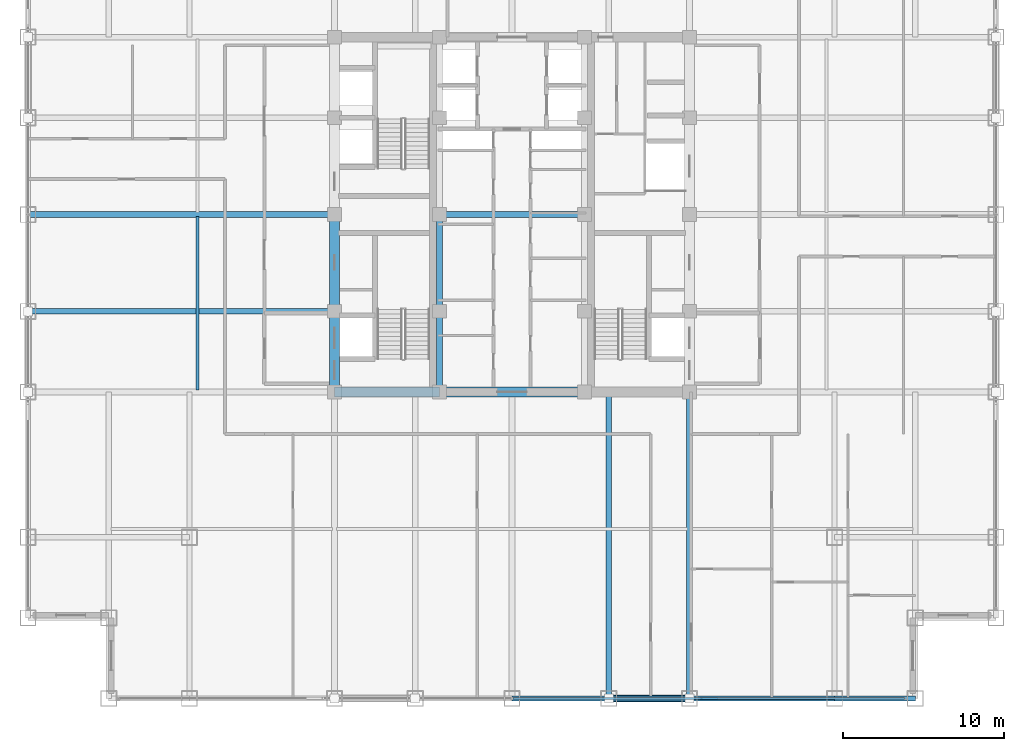
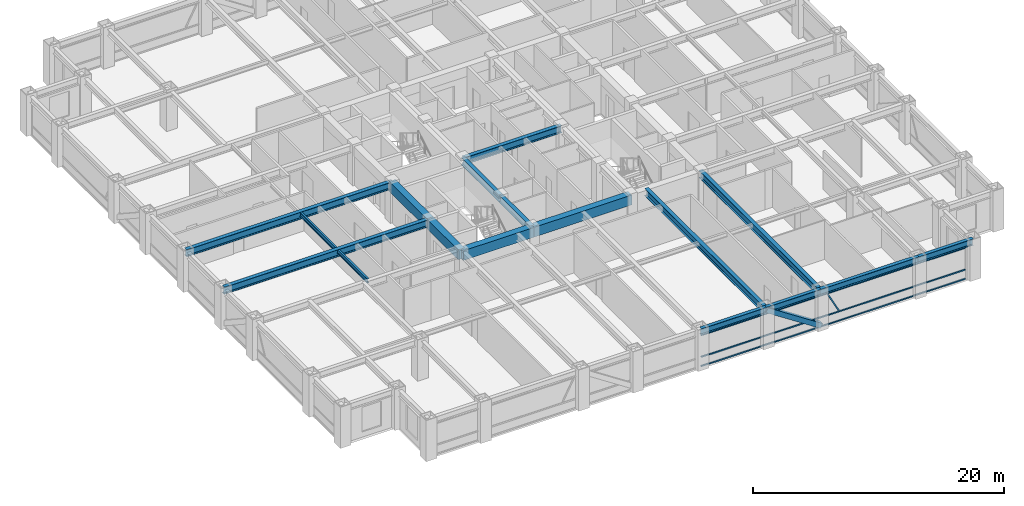
# One storey, part 7 of 25: 16 beams, 5 members, 1 element without a shape of its own.
"""IFC4 building model written with IfcOpenShell, lengths in metres."""

from ifc_helpers import new_model, si_unit, direction, frame, origin, origin_2d, place, context, subcontext, project, spatial, rectangle, hollow_rectangle, i_section, extrude, source, transform, mapped, material, material_profile, profile_set, type_object, element, aggregate, save


model = new_model("IFC4")

# Units and contexts
model_context = context("Model", 3, precision=1e-05, world=origin(), true_north=direction((0.0, 1.0)))
body_context = subcontext(model_context, "Body", "Model", "MODEL_VIEW")
ifc_project = project(units=[si_unit("LENGTHUNIT", "METRE"), si_unit("AREAUNIT", "SQUARE_METRE"), si_unit("VOLUMEUNIT", "CUBIC_METRE"), si_unit("PLANEANGLEUNIT", "RADIAN"), si_unit("MASSUNIT", "GRAM", prefix="KILO")], contexts=[model_context])

# Site, building, storey
site_placement = place(None, origin())
site = spatial("IfcSite", under=ifc_project, at=site_placement, CompositionType="ELEMENT")
building_placement = place(site_placement, origin())
building = spatial("IfcBuilding", under=site, at=building_placement, Name="Khorayat Bourse Tower", CompositionType="ELEMENT")
storey_placement = place(building_placement, frame((0.0, 0.0, 251.10009765625)))
storey = spatial("IfcBuildingStorey", under=building, at=storey_placement, Name="L59", CompositionType="ELEMENT", Elevation=251.10009765625)

# Beams
ifc_material_1 = material(Name="Steel ASTM A992 Grade 50", Category="steel")
ifc_material_profile_1 = material_profile(ifc_material_1, i_section(OverallWidth=0.35498046875, OverallDepth=0.695068359375, WebThickness=0.015380859375, FlangeThickness=0.02490234375, FilletRadius=0.01806640625, at=origin_2d()), Name="W690X217")
ifc_profile_set_1 = profile_set([ifc_material_profile_1], Name="Steel ASTM A992 Grade 50")
beam_type_1 = type_object("IfcBeamType", Name="BM-GIRD-690", PredefinedType="BEAM", material=ifc_profile_set_1)
shared_shape_1 = source(origin(), body_context, "Body", "SweptSolid", [
    extrude(i_section(OverallWidth=0.35498046875, OverallDepth=0.695068359375, WebThickness=0.015380859375, FlangeThickness=0.02490234375, FilletRadius=0.01806640625, at=origin_2d()), origin(), (0.0, 0.0, 1.0), 5.0),
])
beam_1_placement = place(storey_placement, frame((-4.5, -11.0, 3.432373046875), z_axis=(0.0, 1.0, 0.0), x_axis=(-1.0, 0.0, 0.0)))
element("IfcBeam", 1, at=beam_1_placement, inside=storey, type_object=beam_type_1, Name="L59 BM-GIRD-690 BM-L59-CRX-05", PredefinedType="BEAM", context=body_context, shape_type="MappedRepresentation", body=[
    mapped(shared_shape_1, transform((0.0, 0.0, 0.0), scale=1.0)),
])
shared_shape_2 = source(origin(), body_context, "Body", "SweptSolid", [
    extrude(i_section(OverallWidth=0.35498046875, OverallDepth=0.695068359375, WebThickness=0.015380859375, FlangeThickness=0.02490234375, FilletRadius=0.01806640625, at=origin_2d()), origin(), (0.0, 0.0, 1.0), 6.0),
])
beam_2_placement = place(storey_placement, frame((-4.5, -6.0, 3.432373046875), z_axis=(0.0, 1.0, 0.0), x_axis=(-1.0, 0.0, 0.0)))
element("IfcBeam", 2, at=beam_2_placement, inside=storey, type_object=beam_type_1, Name="L59 BM-GIRD-690 BM-L59-CRX-06", PredefinedType="BEAM", context=body_context, shape_type="MappedRepresentation", body=[
    mapped(shared_shape_2, transform((0.0, 0.0, 0.0), scale=1.0)),
])
shared_shape_3 = source(origin(), body_context, "Body", "SweptSolid", [
    extrude(i_section(OverallWidth=0.35498046875, OverallDepth=0.695068359375, WebThickness=0.015380859375, FlangeThickness=0.02490234375, FilletRadius=0.01806640625, at=origin_2d()), origin(), (0.0, 0.0, 1.0), 9.0),
])
beam_3_placement = place(storey_placement, frame((-4.5, 0.0, 3.432373046875), z_axis=(1.0, 0.0, 0.0), x_axis=(0.0, 1.0, 0.0)))
element("IfcBeam", 3, at=beam_3_placement, inside=storey, type_object=beam_type_1, Name="L59 BM-GIRD-690 BM-L59-CRY-23", PredefinedType="BEAM", context=body_context, shape_type="MappedRepresentation", body=[
    mapped(shared_shape_3, transform((0.0, 0.0, 0.0), scale=1.0)),
])
ifc_material_profile_2 = material_profile(ifc_material_1, i_section(OverallWidth=0.180908203125, OverallDepth=0.4169921875, WebThickness=0.010986328125, FlangeThickness=0.018310546875, FilletRadius=0.011962890625, at=origin_2d()), Name="W410X85")
ifc_profile_set_2 = profile_set([ifc_material_profile_2], Name="Steel ASTM A992 Grade 50")
beam_type_2 = type_object("IfcBeamType", Name="BM-JOIST-410", PredefinedType="JOIST", material=ifc_profile_set_2)
shared_shape_4 = source(origin(), body_context, "Body", "SweptSolid", [
    extrude(i_section(OverallWidth=0.180908203125, OverallDepth=0.4169921875, WebThickness=0.010986328125, FlangeThickness=0.018310546875, FilletRadius=0.011962890625, at=origin_2d()), origin(), (0.0, 0.0, 1.0), 10.740234375),
])
beam_4_placement = place(storey_placement, frame((-19.5, -10.8701171875, 3.5712890625), z_axis=(0.0, 1.0, 0.0), x_axis=(-1.0, 0.0, 0.0)))
element("IfcBeam", 4, at=beam_4_placement, inside=storey, type_object=beam_type_2, Name="L59 BM-JOIST-410 BM-L59-JSTY-102", PredefinedType="JOIST", context=body_context, shape_type="MappedRepresentation", body=[
    mapped(shared_shape_4, transform((0.0, 0.0, 0.0), scale=1.0)),
])
ifc_material_profile_3 = material_profile(ifc_material_1, i_section(OverallWidth=0.324951171875, OverallDepth=0.615966796875, WebThickness=0.013916015625, FlangeThickness=0.021484375, FilletRadius=0.01611328125, at=origin_2d()), Name="W610X174")
ifc_profile_set_3 = profile_set([ifc_material_profile_3], Name="Steel ASTM A992 Grade 50")
beam_type_3 = type_object("IfcBeamType", Name="BM-SPAN-610", PredefinedType="SPANDREL", material=ifc_profile_set_3)
shared_shape_5 = source(origin(), body_context, "Body", "SweptSolid", [
    extrude(i_section(OverallWidth=0.324951171875, OverallDepth=0.615966796875, WebThickness=0.013916015625, FlangeThickness=0.021484375, FilletRadius=0.01611328125, at=origin_2d()), origin(), (0.0, 0.0, 1.0), 9.0),
])
beam_5_placement = place(storey_placement, frame((11.0, -30.0, 3.471923828125), z_axis=(1.0, 0.0, 0.0), x_axis=(0.0, 1.0, 0.0)))
element("IfcBeam", 5, at=beam_5_placement, inside=storey, type_object=beam_type_3, Name="L59 BM-SPAN-610 BM-L59-SPN-030", PredefinedType="SPANDREL", context=body_context, shape_type="MappedRepresentation", body=[
    mapped(shared_shape_5, transform((0.0, 0.0, 0.0), scale=1.0)),
])
shared_shape_6 = source(origin(), body_context, "Body", "SweptSolid", [
    extrude(i_section(OverallWidth=0.324951171875, OverallDepth=0.615966796875, WebThickness=0.013916015625, FlangeThickness=0.021484375, FilletRadius=0.01611328125, at=origin_2d()), origin(), (0.0, 0.0, 1.0), 5.0),
])
for number, where, z_axis, x_axis, name in (
    (6, (6.0, -30.0, 3.471923828125), (1.0, 0.0, 0.0), (0.0, 1.0, 0.0), "L59 BM-SPAN-610 BM-L59-SPN-029"),
    (7, (20.0, -30.0, 3.471923828125), (1.0, 0.0, 0.0), (0.0, 1.0, 0.0), "L59 BM-SPAN-610 BM-L59-SPN-031"),
):
    element("IfcBeam", number, at=place(storey_placement, frame(where, z_axis=z_axis, x_axis=x_axis)), inside=storey, type_object=beam_type_3, Name=name, PredefinedType="SPANDREL", context=body_context, shape_type="MappedRepresentation", body=[
        mapped(shared_shape_6, transform((0.0, 0.0, 0.0), scale=1.0)),
    ])
shared_shape_7 = source(origin(), body_context, "Body", "SweptSolid", [
    extrude(i_section(OverallWidth=0.324951171875, OverallDepth=0.615966796875, WebThickness=0.013916015625, FlangeThickness=0.021484375, FilletRadius=0.01611328125, at=origin_2d()), origin(), (0.0, 0.0, 1.0), 6.0),
])
beam_6_placement = place(storey_placement, frame((0.0, -30.0, 3.471923828125), z_axis=(1.0, 0.0, 0.0), x_axis=(0.0, 1.0, 0.0)))
element("IfcBeam", 8, at=beam_6_placement, inside=storey, type_object=beam_type_3, Name="L59 BM-SPAN-610 BM-L59-SPN-028", PredefinedType="SPANDREL", context=body_context, shape_type="MappedRepresentation", body=[
    mapped(shared_shape_7, transform((0.0, 0.0, 0.0), scale=1.0)),
])
ifc_material_2 = material(Name="Concrete C60/75", Category="concrete")
ifc_material_profile_4 = material_profile(ifc_material_2, rectangle(XDim=0.60009765625, YDim=0.949951171875, at=origin_2d()), Name="RC 600x950")
ifc_profile_set_4 = profile_set([ifc_material_profile_4], Name="Concrete C60/75")
beam_type_4 = type_object("IfcBeamType", Name="BM-COUP-950", PredefinedType="BEAM", material=ifc_profile_set_4)
shared_shape_8 = source(origin(), body_context, "Body", "SweptSolid", [
    extrude(rectangle(XDim=0.60009765625, YDim=0.949951171875, at=origin_2d()), origin(), (0.0, 0.0, 1.0), 5.0),
])
beam_7_placement = place(storey_placement, frame((-11.0, -11.0, 3.304931640625), z_axis=(0.0, 1.0, 0.0), x_axis=(-1.0, 0.0, 0.0)))
element("IfcBeam", 9, at=beam_7_placement, inside=storey, type_object=beam_type_4, Name="L59 BM-COUP-950 BM-L59-CRX-01", PredefinedType="BEAM", context=body_context, shape_type="MappedRepresentation", body=[
    mapped(shared_shape_8, transform((0.0, 0.0, 0.0), scale=1.0)),
])
shared_shape_9 = source(origin(), body_context, "Body", "SweptSolid", [
    extrude(rectangle(XDim=0.60009765625, YDim=0.949951171875, at=origin_2d()), origin(), (0.0, 0.0, 1.0), 6.0),
])
beam_8_placement = place(storey_placement, frame((-11.0, -6.0, 3.304931640625), z_axis=(0.0, 1.0, 0.0), x_axis=(-1.0, 0.0, 0.0)))
element("IfcBeam", 10, at=beam_8_placement, inside=storey, type_object=beam_type_4, Name="L59 BM-COUP-950 BM-L59-CRX-02", PredefinedType="BEAM", context=body_context, shape_type="MappedRepresentation", body=[
    mapped(shared_shape_9, transform((0.0, 0.0, 0.0), scale=1.0)),
])
shared_shape_10 = source(origin(), body_context, "Body", "SweptSolid", [
    extrude(rectangle(XDim=0.60009765625, YDim=0.949951171875, at=origin_2d()), origin(), (0.0, 0.0, 1.0), 6.5),
])
beam_9_placement = place(storey_placement, frame((-11.0, -11.0, 3.304931640625), z_axis=(1.0, 0.0, 0.0), x_axis=(0.0, 1.0, 0.0)))
element("IfcBeam", 11, at=beam_9_placement, inside=storey, type_object=beam_type_4, Name="L59 BM-COUP-950 BM-L59-CRY-17", PredefinedType="BEAM", context=body_context, shape_type="MappedRepresentation", body=[
    mapped(shared_shape_10, transform((0.0, 0.0, 0.0), scale=1.0)),
])
shared_shape_11 = source(origin(), body_context, "Body", "SweptSolid", [
    extrude(rectangle(XDim=0.60009765625, YDim=0.949951171875, at=origin_2d()), origin(), (0.0, 0.0, 1.0), 9.0),
])
beam_10_placement = place(storey_placement, frame((-4.5, -11.0, 3.304931640625), z_axis=(1.0, 0.0, 0.0), x_axis=(0.0, 1.0, 0.0)))
element("IfcBeam", 12, at=beam_10_placement, inside=storey, type_object=beam_type_4, Name="L59 BM-COUP-950 BM-L59-CRY-18", PredefinedType="BEAM", context=body_context, shape_type="MappedRepresentation", body=[
    mapped(shared_shape_11, transform((0.0, 0.0, 0.0), scale=1.0)),
])
shared_shape_12 = source(origin(), body_context, "Body", "SweptSolid", [
    extrude(i_section(OverallWidth=0.35498046875, OverallDepth=0.695068359375, WebThickness=0.015380859375, FlangeThickness=0.02490234375, FilletRadius=0.01806640625, at=origin_2d()), origin(), (0.0, 0.0, 1.0), 19.0),
])
for number, where, z_axis, x_axis, name in (
    (13, (6.0, -30.0, 3.432373046875), (0.0, 1.0, 0.0), (-1.0, 0.0, 0.0), "L59 BM-GIRD-690 BM-L59-RADY-071"),
    (14, (11.0, -30.0, 3.432373046875), (0.0, 1.0, 0.0), (-1.0, 0.0, 0.0), "L59 BM-GIRD-690 BM-L59-RADY-073"),
    (15, (-30.0, -6.0, 3.432373046875), (1.0, 0.0, 0.0), (0.0, 1.0, 0.0), "L59 BM-GIRD-690 BM-L59-RADX-077"),
    (16, (-30.0, 0.0, 3.432373046875), (1.0, 0.0, 0.0), (0.0, 1.0, 0.0), "L59 BM-GIRD-690 BM-L59-RADX-079"),
):
    element("IfcBeam", number, at=place(storey_placement, frame(where, z_axis=z_axis, x_axis=x_axis)), inside=storey, type_object=beam_type_1, Name=name, PredefinedType="BEAM", context=body_context, shape_type="MappedRepresentation", body=[
        mapped(shared_shape_12, transform((0.0, 0.0, 0.0), scale=1.0)),
    ])

# Member
ifc_material_3 = material(Name="Steel EN 10025-4 S460M", Category="steel")
ifc_material_profile_5 = material_profile(ifc_material_3, hollow_rectangle(XDim=0.449951171875, YDim=0.449951171875, WallThickness=0.02490234375, at=origin_2d()), Name="HSS 450x450x25")
ifc_profile_set_5 = profile_set([ifc_material_profile_5], Name="Steel EN 10025-4 S460M")
member_type_1 = type_object("IfcMemberType", Name="MBR-TUBE-450", PredefinedType="BRACE", material=ifc_profile_set_5)
shared_shape_13 = source(origin(), body_context, "Body", "SweptSolid", [
    extrude(hollow_rectangle(XDim=0.449951171875, YDim=0.449951171875, WallThickness=0.02490234375, at=origin_2d()), origin(), (0.0, 0.0, 1.0), 5.979736328125),
])
member_1_placement = place(storey_placement, frame((6.0, -30.0, 3.52978515625), z_axis=(0.836160261256, 0.0, -0.548485202623), x_axis=(0.0, 1.0, 0.0)))
element("IfcMember", 17, at=member_1_placement, inside=storey, type_object=member_type_1, Name="L59 Perimeter Tube Brace 02", PredefinedType="BRACE", context=body_context, shape_type="MappedRepresentation", body=[
    mapped(shared_shape_13, transform((0.0, 0.0, 0.0), scale=1.0)),
])

# Curtain wall, members
ifc_material_4 = material(Name="Aluminium EN AW-6063 T6", Category="aluminium")
curtain_wall_type = type_object("IfcCurtainWallType", Name="CW-SYS-03", PredefinedType="NOTDEFINED", material=ifc_material_4)
curtain_wall_placement = place(storey_placement, origin())
curtain_wall = element("IfcCurtainWall", 18, at=curtain_wall_placement, inside=storey, type_object=curtain_wall_type, Name="L59 Curtain Wall CW-L59-S1", PredefinedType="NOTDEFINED")
ifc_material_profile_6 = material_profile(ifc_material_4, hollow_rectangle(XDim=0.1201171875, YDim=0.1201171875, WallThickness=0.0048828125, at=origin_2d()), Name="ALU 120x120x5")
ifc_profile_set_6 = profile_set([ifc_material_profile_6], Name="Aluminium EN AW-6063 T6")
member_type_2 = type_object("IfcMemberType", Name="CWM-DIAG-120", PredefinedType="MULLION", material=ifc_profile_set_6)
shared_shape_14 = source(origin(), body_context, "Body", "SweptSolid", [
    extrude(hollow_rectangle(XDim=0.1201171875, YDim=0.1201171875, WallThickness=0.0048828125, at=origin_2d()), origin(), (0.0, 0.0, 1.0), 2.079345703125),
])
member_2_placement = place(storey_placement, frame((12.67919921875, -30.0, 1.08984375), z_axis=(-0.465760949701, 0.0, 0.884910581773), x_axis=(0.0, -1.0, 0.0)))
member_2 = element("IfcMember", 19, at=member_2_placement, type_object=member_type_2, Name="CW-L59-S1 Faceted Diagonal Mullion 2", PredefinedType="MULLION", context=body_context, shape_type="MappedRepresentation", body=[
    mapped(shared_shape_14, transform((0.0, 0.0, 0.0), scale=1.0)),
])
ifc_material_profile_7 = material_profile(ifc_material_4, hollow_rectangle(XDim=0.1201171875, YDim=0.1201171875, WallThickness=0.0048828125, at=origin_2d()), Name="ALU 120x120x5")
ifc_profile_set_7 = profile_set([ifc_material_profile_7], Name="Aluminium EN AW-6063 T6")
member_type_3 = type_object("IfcMemberType", Name="CWT-HORZ-120", PredefinedType="USERDEFINED", material=ifc_profile_set_7)
shared_shape_15 = source(origin(), body_context, "Body", "SweptSolid", [
    extrude(hollow_rectangle(XDim=0.1201171875, YDim=0.1201171875, WallThickness=0.0048828125, at=origin_2d()), origin(), (0.0, 0.0, 1.0), 24.27001953125),
])
member_3_placement = place(storey_placement, frame((0.06005859375, -30.0, 0.059814453125), z_axis=(1.0, 0.0, 0.0), x_axis=(0.0, 1.0, 0.0)))
member_3 = element("IfcMember", 20, at=member_3_placement, type_object=member_type_3, Name="CW-L59-S1 Horizontal Transom 2-1", ObjectType="TRANSOM", PredefinedType="USERDEFINED", context=body_context, shape_type="MappedRepresentation", body=[
    mapped(shared_shape_15, transform((0.0, 0.0, 0.0), scale=1.0)),
])
member_4_placement = place(storey_placement, frame((0.06005859375, -30.0, 0.949951171875), z_axis=(1.0, 0.0, 0.0), x_axis=(0.0, 1.0, 0.0)))
member_4 = element("IfcMember", 21, at=member_4_placement, type_object=member_type_3, Name="CW-L59-S1 Horizontal Transom 2-2", ObjectType="TRANSOM", PredefinedType="USERDEFINED", context=body_context, shape_type="MappedRepresentation", body=[
    mapped(shared_shape_15, transform((0.0, 0.0, 0.0), scale=1.0)),
])
member_5_placement = place(storey_placement, frame((0.06005859375, -30.0, 3.06982421875), z_axis=(1.0, 0.0, 0.0), x_axis=(0.0, 1.0, 0.0)))
member_5 = element("IfcMember", 22, at=member_5_placement, type_object=member_type_3, Name="CW-L59-S1 Horizontal Transom 2-3", ObjectType="TRANSOM", PredefinedType="USERDEFINED", context=body_context, shape_type="MappedRepresentation", body=[
    mapped(shared_shape_15, transform((0.0, 0.0, 0.0), scale=1.0)),
])
aggregate(curtain_wall, [member_3, member_4, member_5, member_2])

save(model, "model.ifc")
